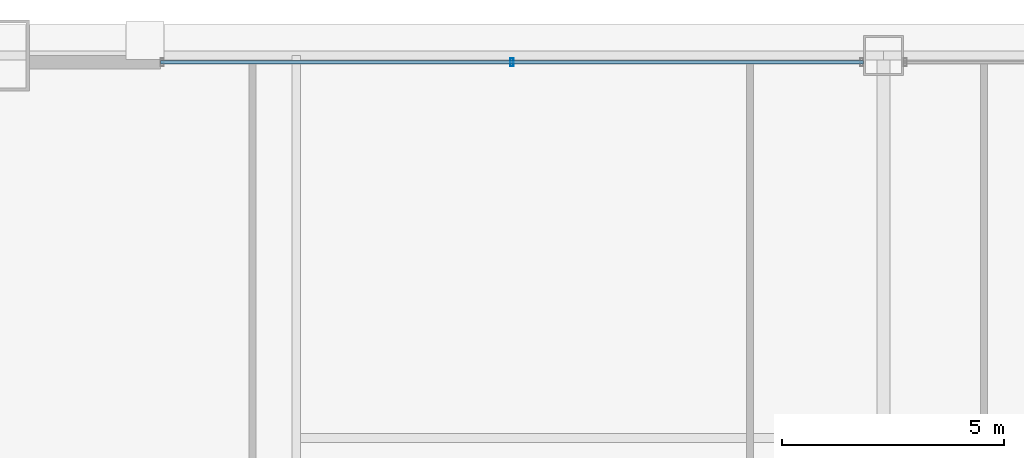
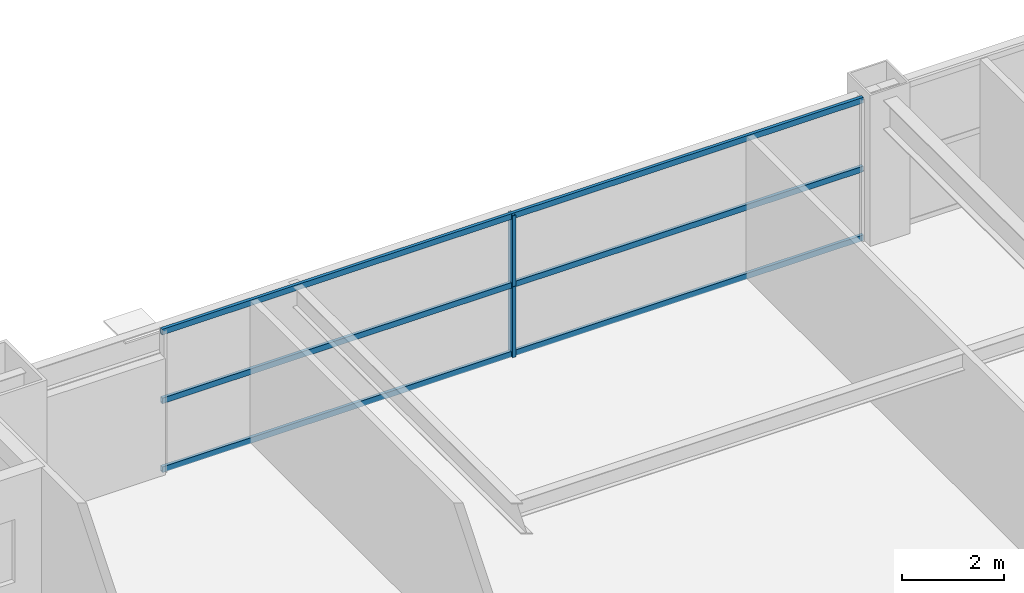
# One storey, part 25 of 39: 5 members, 1 element without a shape of its own.
"""IFC4 building model written with IfcOpenShell, lengths in metres."""

from ifc_helpers import new_model, si_unit, direction, frame, origin, origin_2d, place, context, subcontext, project, spatial, hollow_rectangle, extrude, source, transform, mapped, material, layer, layer_set, material_profile, profile_set, type_object, element, aggregate, save


model = new_model("IFC4")

# Units and contexts
model_context = context("Model", 3, precision=1e-05, world=origin(), true_north=direction((0.0, 1.0)))
body_context = subcontext(model_context, "Body", "Model", "MODEL_VIEW")
ifc_project = project(units=[si_unit("LENGTHUNIT", "METRE"), si_unit("AREAUNIT", "SQUARE_METRE"), si_unit("VOLUMEUNIT", "CUBIC_METRE"), si_unit("PLANEANGLEUNIT", "RADIAN"), si_unit("MASSUNIT", "GRAM", prefix="KILO"), si_unit("THERMODYNAMICTEMPERATUREUNIT", "KELVIN"), si_unit("POWERUNIT", "WATT")], contexts=[model_context])

# Site, building, storey
site_placement = place(None, origin())
site = spatial("IfcSite", under=ifc_project, at=site_placement, CompositionType="ELEMENT")
building_placement = place(site_placement, origin())
building = spatial("IfcBuilding", under=site, at=building_placement, Name="Yuzanri Waterfront Tower", CompositionType="ELEMENT")
storey_placement = place(building_placement, frame((0.0, 0.0, 141.60009765625)))
storey = spatial("IfcBuildingStorey", under=building, at=storey_placement, Name="L37", CompositionType="ELEMENT", Elevation=141.60009765625)

# Curtain wall, members
ifc_material_1 = material(Name="Anodized Architectural Bronze", Category="metal")
ifc_layer = layer(ifc_material_1, 0.159912109375)
ifc_layer_set = layer_set([ifc_layer], Name="Anodized Architectural Bronze")
curtain_wall_type = type_object("IfcCurtainWallType", Name="Anodized Bronze Hotel Upper-Tier Solar-Control Unitized Curtain Wall 7800", PredefinedType="NOTDEFINED", material=ifc_layer_set)
curtain_wall_placement = place(storey_placement, origin())
curtain_wall = element("IfcCurtainWall", 1, at=curtain_wall_placement, inside=storey, type_object=curtain_wall_type, Name="L37 Curtain Wall CW-L37-NL", PredefinedType="NOTDEFINED")
ifc_material_2 = material(Name="Anodized Architectural Bronze", Category="metal")
ifc_material_profile_1 = material_profile(ifc_material_2, hollow_rectangle(XDim=0.070068359375, YDim=0.179931640625, WallThickness=0.00390625, at=origin_2d()), Name="CWM 70x180")
ifc_profile_set_1 = profile_set([ifc_material_profile_1], Name="Anodized Architectural Bronze")
member_type_1 = type_object("IfcMemberType", Name="Anodized Bronze Standard Curtain-Wall Mullion 70x180", PredefinedType="MULLION", material=ifc_profile_set_1)
shared_shape_1 = source(origin(), body_context, "Body", "SweptSolid", [
    extrude(hollow_rectangle(XDim=0.070068359375, YDim=0.179931640625, WallThickness=0.00390625, at=origin_2d()), origin(), (0.0, 0.0, 1.0), 1.68798828125),
])
member_1_placement = place(storey_placement, frame((28.64990234375, 49.25, 0.0), z_axis=(0.0, 0.0, 1.0), x_axis=(1.0, 0.0, 0.0)))
member_1 = element("IfcMember", 2, at=member_1_placement, type_object=member_type_1, Name="CW-L37-NL Lower Mullion 01", PredefinedType="MULLION", context=body_context, shape_type="MappedRepresentation", body=[
    mapped(shared_shape_1, transform((0.0, 0.0, 0.0), scale=1.0)),
])
member_2_placement = place(storey_placement, frame((28.64990234375, 49.25, 1.69189453125), z_axis=(0.0, 0.0, 1.0), x_axis=(1.0, 0.0, 0.0)))
member_2 = element("IfcMember", 3, at=member_2_placement, type_object=member_type_1, Name="CW-L37-NL Upper Mullion 01", PredefinedType="MULLION", context=body_context, shape_type="MappedRepresentation", body=[
    mapped(shared_shape_1, transform((0.0, 0.0, 0.0), scale=1.0)),
])
ifc_material_3 = material(Name="Anodized Architectural Bronze", Category="metal")
ifc_material_profile_2 = material_profile(ifc_material_3, hollow_rectangle(XDim=0.070068359375, YDim=0.135009765625, WallThickness=0.00341796875, at=origin_2d()), Name="CWT 70x135")
ifc_profile_set_2 = profile_set([ifc_material_profile_2], Name="Anodized Architectural Bronze")
member_type_2 = type_object("IfcMemberType", Name="Anodized Bronze Standard Curtain-Wall Transom 70x135", PredefinedType="USERDEFINED", material=ifc_profile_set_2)
shared_shape_2 = source(origin(), body_context, "Body", "SweptSolid", [
    extrude(hollow_rectangle(XDim=0.070068359375, YDim=0.135009765625, WallThickness=0.00341796875, at=origin_2d()), origin(), (0.0, 0.0, 1.0), 15.800048828125),
])
member_3_placement = place(storey_placement, frame((20.75, 49.25, 0.0498046875), z_axis=(1.0, 0.0, 0.0), x_axis=(0.0, 1.0, 0.0)))
member_3 = element("IfcMember", 4, at=member_3_placement, type_object=member_type_2, Name="CW-L37-NL Transom 1", ObjectType="TRANSOM", PredefinedType="USERDEFINED", context=body_context, shape_type="MappedRepresentation", body=[
    mapped(shared_shape_2, transform((0.0, 0.0, 0.0), scale=1.0)),
])
member_4_placement = place(storey_placement, frame((20.75, 49.25, 1.68994140625), z_axis=(1.0, 0.0, 0.0), x_axis=(0.0, 1.0, 0.0)))
member_4 = element("IfcMember", 5, at=member_4_placement, type_object=member_type_2, Name="CW-L37-NL Transom 2", ObjectType="TRANSOM", PredefinedType="USERDEFINED", context=body_context, shape_type="MappedRepresentation", body=[
    mapped(shared_shape_2, transform((0.0, 0.0, 0.0), scale=1.0)),
])
member_5_placement = place(storey_placement, frame((20.75, 49.25, 3.329833984375), z_axis=(1.0, 0.0, 0.0), x_axis=(0.0, 1.0, 0.0)))
member_5 = element("IfcMember", 6, at=member_5_placement, type_object=member_type_2, Name="CW-L37-NL Transom 3", ObjectType="TRANSOM", PredefinedType="USERDEFINED", context=body_context, shape_type="MappedRepresentation", body=[
    mapped(shared_shape_2, transform((0.0, 0.0, 0.0), scale=1.0)),
])
aggregate(curtain_wall, [member_1, member_2, member_3, member_4, member_5])

save(model, "model.ifc")
